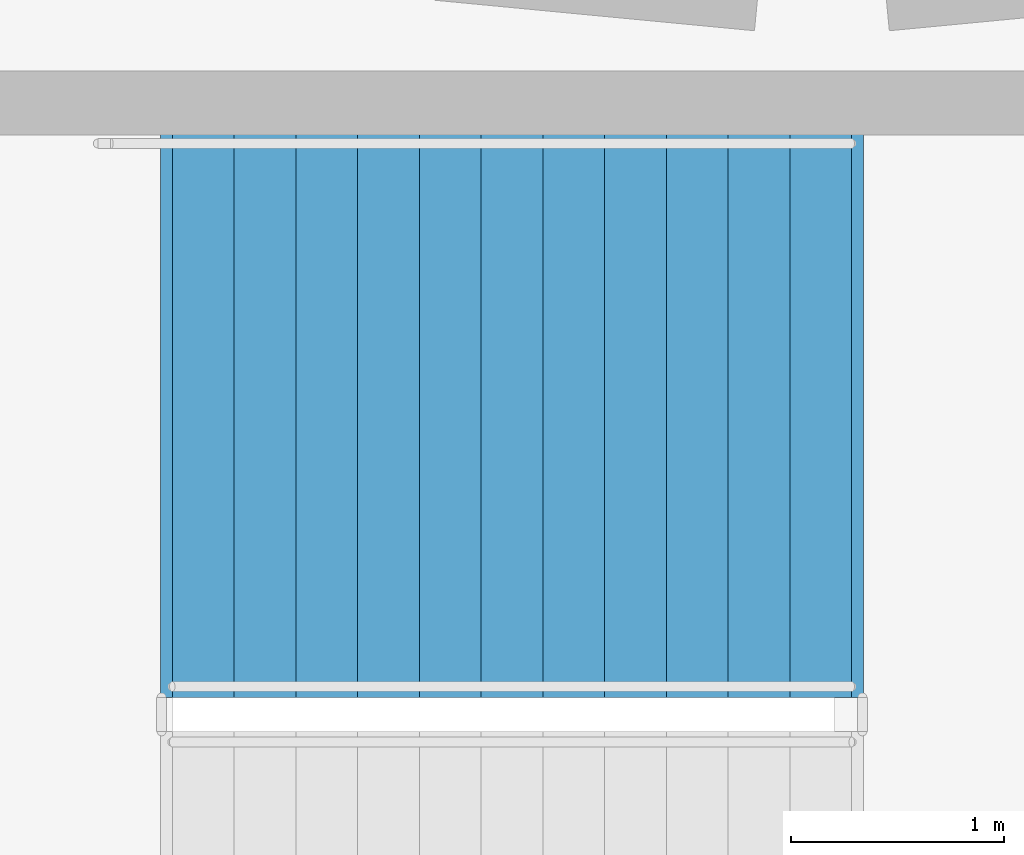
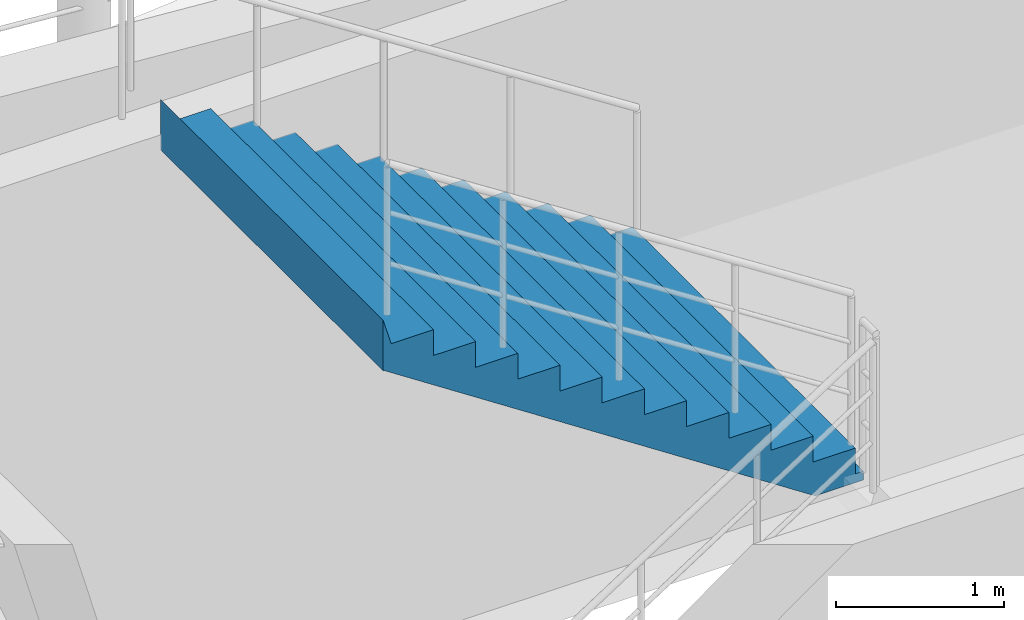
# One storey, part 49 of 60: 1 stair flight, 1 element without a shape of its own.
"""IFC4 building model written with IfcOpenShell, lengths in metres."""

import ifcopenshell
import ifcopenshell.guid

model = None  # the IFC model being written
_history = None  # IfcOwnerHistory: only IFC2X3 demands one
_inside = {}  # id of a spatial element -> (the spatial element, [elements in it])
_under = {}  # id of a project, library or spatial element -> (it, [spatial elements below it])
_declared = {}  # id of a project -> (the project, [libraries it declares])
_typed = {}  # id of a type object -> (the type object, [elements of that type])
_made_of = {}  # id of a material, layer set ... -> (it, [elements and type objects made of it])


def new_model(schema):
    """Start an empty IFC model of exactly this schema.

    Asked for "IFC4X3", IfcOpenShell would pick the latest addendum, in which some entities
    have other attributes; the version numbers below select the first issue.
    IFC2X3 requires an IfcOwnerHistory on every rooted entity: one is made here for all.
    """
    global model, _history
    if schema == "IFC4X3":
        model = ifcopenshell.file(schema_version=(4, 3, 0, 0))
    else:
        model = ifcopenshell.file(schema=schema)
    _inside.clear()
    _under.clear()
    _declared.clear()
    _typed.clear()
    _made_of.clear()
    _history = None
    if model.schema == "IFC2X3":
        org = make("IfcOrganization", Name="unknown")
        user = make(
            "IfcPersonAndOrganization",
            ThePerson=make("IfcPerson", FamilyName="unknown"),
            TheOrganization=org,
        )
        app = make(
            "IfcApplication",
            ApplicationDeveloper=org,
            Version="unknown",
            ApplicationFullName="unknown",
            ApplicationIdentifier="unknown",
        )
        _history = make(
            "IfcOwnerHistory",
            OwningUser=user,
            OwningApplication=app,
            ChangeAction="ADDED",
            CreationDate=0,
        )
    return model


def make(cls, **values):
    """One entity of the class cls with the attributes given. An attribute that is None is left unset."""
    return model.create_entity(
        cls, **{name: value for name, value in values.items() if value is not None}
    )


def rooted(cls, **values):
    """An entity with a GlobalId (a new one), such as an element, a storey or a relation."""
    return make(cls, GlobalId=ifcopenshell.guid.new(), OwnerHistory=_history, **values)


def si_unit(unit_type, name, prefix=None):
    """IfcSIUnit, for example si_unit("LENGTHUNIT", "METRE", prefix="MILLI")."""
    return make("IfcSIUnit", UnitType=unit_type, Prefix=prefix, Name=name)


def assignment(units):
    """IfcUnitAssignment: the units of a project."""
    return None if units is None else make("IfcUnitAssignment", Units=units)


def point(xyz):
    """IfcCartesianPoint."""
    return None if xyz is None else make("IfcCartesianPoint", Coordinates=xyz)


def direction(xyz):
    """IfcDirection."""
    return None if xyz is None else make("IfcDirection", DirectionRatios=xyz)


def frame(location, z_axis=None, x_axis=None):
    """IfcAxis2Placement3D, a coordinate frame: its origin and axes. An axis left out is left unset."""
    return make(
        "IfcAxis2Placement3D",
        Location=point(location),
        Axis=direction(z_axis),
        RefDirection=direction(x_axis),
    )


def origin():
    """The frame at (0, 0, 0) with its axes left unset."""
    return frame((0.0, 0.0, 0.0))


def place(relative_to, where):
    """IfcLocalPlacement: puts the frame where relative to a parent placement (None: the world)."""
    return make(
        "IfcLocalPlacement", PlacementRelTo=relative_to, RelativePlacement=where
    )


def context(
    kind, dimensions, precision=None, world=None, true_north=None, identifier=None
):
    """IfcGeometricRepresentationContext, for example the 3D "Model" context."""
    return make(
        "IfcGeometricRepresentationContext",
        ContextIdentifier=identifier,
        ContextType=kind,
        CoordinateSpaceDimension=dimensions,
        Precision=precision,
        WorldCoordinateSystem=world,
        TrueNorth=true_north,
    )


def subcontext(parent, identifier, kind, view, scale=None):
    """IfcGeometricRepresentationSubContext, for example "Body" below "Model"."""
    return make(
        "IfcGeometricRepresentationSubContext",
        ContextIdentifier=identifier,
        ContextType=kind,
        ParentContext=parent,
        TargetScale=scale,
        TargetView=view,
    )


def project(units=None, contexts=None):
    """IfcProject with its units and contexts."""
    return rooted(
        "IfcProject",
        Name="project",
        RepresentationContexts=contexts,
        UnitsInContext=assignment(units),
    )


def spatial(cls, under=None, at=None, **own):
    """A site, building, storey or space (cls), placed at a placement, below another one or the project."""
    s = rooted(cls, ObjectPlacement=at, **own)
    if under is not None:
        _under.setdefault(under.id(), (under, []))[1].append(s)
    return s


def polyline(points):
    """IfcPolyline through the points."""
    return make("IfcPolyline", Points=[point(p) for p in points])


def outline(outer, holes=None, kind="AREA"):
    """IfcArbitraryClosedProfileDef: a profile drawn as a closed curve; with holes, ...WithVoids."""
    if holes is None:
        return make("IfcArbitraryClosedProfileDef", ProfileType=kind, OuterCurve=outer)
    return make(
        "IfcArbitraryProfileDefWithVoids",
        ProfileType=kind,
        OuterCurve=outer,
        InnerCurves=holes,
    )


def extrude(swept, where, along, depth):
    """IfcExtrudedAreaSolid: the profile swept, set in the frame where, extruded along a direction by depth."""
    return make(
        "IfcExtrudedAreaSolid",
        SweptArea=swept,
        Position=where,
        ExtrudedDirection=direction(along),
        Depth=depth,
    )


def shape(context_of_items, identifier, shape_type, items):
    """IfcShapeRepresentation: the items that make up one representation, for example the "Body"."""
    return make(
        "IfcShapeRepresentation",
        ContextOfItems=context_of_items,
        RepresentationIdentifier=identifier,
        RepresentationType=shape_type,
        Items=items,
    )


def material(Name=None, Category=None):
    """IfcMaterial."""
    return make("IfcMaterial", Name=Name, Category=Category)


def made_of(thing, what):
    """Note that an element or type object is made of a material, layer set ...; save() writes the relation."""
    if what is not None:
        _made_of.setdefault(what.id(), (what, []))[1].append(thing)
    return thing


def type_object(cls, material=None, **own):
    """A type object (cls), such as IfcWallType, which elements share."""
    return made_of(rooted(cls, **own), material)


def element(
    cls,
    number,
    at=None,
    inside=None,
    cuts=None,
    type_object=None,
    material=None,
    context=None,
    identifier="Body",
    shape_type=None,
    held_by="IfcProductDefinitionShape",
    body=None,
    shapes=None,
    **own,
):
    """One element of the class cls, such as IfcWall. Its Tag is "e" and its number.

    at: its placement. inside: the storey or other place that contains it. cuts: it is an
    opening in that element (IfcRelVoidsElement). A single representation is given by context,
    identifier, shape_type and body (its items); several are given by shapes. held_by: the class
    of the entity that holds the representations. save() writes the other relations.
    """
    e = rooted(cls, Tag="e%d" % number, ObjectPlacement=at, **own)
    if body is not None:
        shapes = [shape(context, identifier, shape_type, body)]
    if shapes is not None:
        e.Representation = make(held_by, Representations=shapes)
    if inside is not None:
        _inside.setdefault(inside.id(), (inside, []))[1].append(e)
    if cuts is not None:
        rooted(
            "IfcRelVoidsElement", RelatingBuildingElement=cuts, RelatedOpeningElement=e
        )
    if type_object is not None:
        _typed.setdefault(type_object.id(), (type_object, []))[1].append(e)
    return made_of(e, material)


def aggregate(whole, parts):
    """IfcRelAggregates: a whole, such as a stair, and the parts it consists of."""
    return rooted("IfcRelAggregates", RelatingObject=whole, RelatedObjects=parts)


def save(model, path):
    """Write the relations noted so far, then the file.

    IfcRelAggregates (storeys below a building ...), IfcRelContainedInSpatialStructure (elements
    in a storey), IfcRelDefinesByType, IfcRelAssociatesMaterial and IfcRelDeclares: one each for
    every whole, place, type object, material and project.
    """
    for whole, parts in _under.values():
        aggregate(whole, parts)
    for where, things in _inside.values():
        rooted(
            "IfcRelContainedInSpatialStructure",
            RelatedElements=things,
            RelatingStructure=where,
        )
    for kind, things in _typed.values():
        rooted("IfcRelDefinesByType", RelatedObjects=things, RelatingType=kind)
    for what, things in _made_of.values():
        rooted("IfcRelAssociatesMaterial", RelatedObjects=things, RelatingMaterial=what)
    for by, libraries in _declared.values():
        rooted("IfcRelDeclares", RelatingContext=by, RelatedDefinitions=libraries)
    model.write(path)


model = new_model("IFC4")

# Units and contexts
model_context = context("Model", 3, precision=1e-05, world=origin(), true_north=direction((0.0, 1.0)))
body_context = subcontext(model_context, "Body", "Model", "MODEL_VIEW")
ifc_project = project(units=[si_unit("LENGTHUNIT", "METRE"), si_unit("AREAUNIT", "SQUARE_METRE"), si_unit("VOLUMEUNIT", "CUBIC_METRE"), si_unit("PLANEANGLEUNIT", "RADIAN"), si_unit("MASSUNIT", "GRAM", prefix="KILO")], contexts=[model_context])

# Site, building, storey
site_placement = place(None, origin())
site = spatial("IfcSite", under=ifc_project, at=site_placement, CompositionType="ELEMENT")
building_placement = place(site_placement, origin())
building = spatial("IfcBuilding", under=site, at=building_placement, Name="Cinderbank Siding Concert Hall", CompositionType="ELEMENT")
storey_placement = place(building_placement, frame((0.0, 0.0, 14.699951171875)))
storey = spatial("IfcBuildingStorey", under=building, at=storey_placement, Name="L04", CompositionType="ELEMENT", Elevation=14.699951171875)

# Stair, stair flight
ifc_material = material(Name="Reinforced concrete AS 3600 N50 (50 MPa)", Category="concrete")
stair_type = type_object("IfcStairType", Name="STR-A Dogleg Exit Stair 2650mm", PredefinedType="HALF_TURN_STAIR", material=ifc_material)
stair_placement = place(storey_placement, origin())
stair = element("IfcStair", 1, at=stair_placement, inside=storey, type_object=stair_type, Name="L04 Fire-isolated Exit Stair ST-02", PredefinedType="HALF_TURN_STAIR")
stair_flight_type = type_object("IfcStairFlightType", Name="SFL-A Concrete Stair Flight 2650mm", PredefinedType="STRAIGHT", material=ifc_material)
stair_flight_placement = place(storey_placement, frame((122.139892578125, 27.8349609375, 2.25), z_axis=(0.0, 0.0, 1.0), x_axis=(-1.0, 0.0, 0.0)))
stair_flight = element("IfcStairFlight", 2, at=stair_flight_placement, type_object=stair_flight_type, Name="ST-02 flight 2", NumberOfRisers=12, NumberOfTreads=11, PredefinedType="STRAIGHT", RiserHeight=0.1875, TreadLength=0.29, context=body_context, shape_type="SweptSolid", body=[
    extrude(outline(polyline([(0.0, 0.0), (0.0, 0.1875), (0.2900390625, 0.1875), (0.2900390625, 0.375), (0.580078125, 0.375), (0.580078125, 0.5625), (0.8701171875, 0.5625), (0.8701171875, 0.75), (1.159912109375, 0.75), (1.159912109375, 0.9375), (1.449951171875, 0.9375), (1.449951171875, 1.125), (1.739990234375, 1.125), (1.739990234375, 1.3125), (2.030029296875, 1.3125), (2.030029296875, 1.5), (2.320068359375, 1.5), (2.320068359375, 1.6875), (2.610107421875, 1.6875), (2.610107421875, 1.875), (2.89990234375, 1.875), (2.89990234375, 2.0625), (3.18994140625, 2.0625), (3.244873046875, 2.25), (3.244873046875, 1.884033203125), (3.24462890625, 1.88427734375), (3.24462890625, 1.884521484375), (3.24462890625, 1.884765625), (3.24462890625, 1.885009765625), (3.24462890625, 1.88525390625), (3.24462890625, 1.885498046875), (3.24462890625, 1.8857421875), (3.24462890625, 1.885986328125), (3.24462890625, 1.88623046875), (3.24462890625, 1.886474609375), (3.24462890625, 1.88671875), (3.24462890625, 1.886962890625), (3.244384765625, 1.886962890625), (3.244384765625, 1.88671875), (3.244384765625, 1.886474609375), (3.244384765625, 1.88623046875), (3.244384765625, 1.885986328125), (3.244384765625, 1.8857421875), (3.244384765625, 1.885498046875), (3.244384765625, 1.88525390625), (3.244384765625, 1.885009765625), (3.244384765625, 1.884765625), (3.244384765625, 1.884521484375), (3.244384765625, 1.88427734375), (3.244384765625, 1.884033203125), (3.244140625, 1.88427734375), (3.244140625, 1.884521484375), (3.244140625, 1.884765625), (3.244140625, 1.885009765625), (3.244140625, 1.88525390625), (3.244140625, 1.885498046875), (3.244140625, 1.8857421875), (3.244140625, 1.885986328125), (3.244140625, 1.88623046875), (3.244140625, 1.886474609375), (3.244140625, 1.88671875), (3.244140625, 1.886962890625), (3.243896484375, 1.886962890625), (3.243896484375, 1.88671875), (3.243896484375, 1.886474609375), (3.243896484375, 1.88623046875), (3.243896484375, 1.885986328125), (3.243896484375, 1.8857421875), (3.243896484375, 1.885498046875), (3.243896484375, 1.88525390625), (3.243896484375, 1.885009765625), (3.243896484375, 1.884765625), (3.243896484375, 1.884521484375), (3.243896484375, 1.88427734375), (3.243896484375, 1.884033203125), (3.24365234375, 1.88427734375), (3.24365234375, 1.884521484375), (3.24365234375, 1.884765625), (3.24365234375, 1.885009765625), (3.24365234375, 1.88525390625), (3.24365234375, 1.885498046875), (3.24365234375, 1.8857421875), (3.24365234375, 1.885986328125), (3.24365234375, 1.88623046875), (3.24365234375, 1.886474609375), (3.24365234375, 1.88671875), (3.24365234375, 1.886962890625), (3.243408203125, 1.886962890625), (3.243408203125, 1.88671875), (3.243408203125, 1.886474609375), (3.243408203125, 1.88623046875), (3.243408203125, 1.885986328125), (3.243408203125, 1.8857421875), (3.243408203125, 1.885498046875), (3.243408203125, 1.88525390625), (3.243408203125, 1.885009765625), (3.243408203125, 1.884765625), (3.243408203125, 1.884521484375), (3.243408203125, 1.88427734375), (3.243408203125, 1.884033203125), (3.2431640625, 1.88427734375), (3.2431640625, 1.884521484375), (3.2431640625, 1.884765625), (3.2431640625, 1.885009765625), (3.2431640625, 1.88525390625), (3.2431640625, 1.885498046875), (3.2431640625, 1.8857421875), (3.2431640625, 1.885986328125), (3.2431640625, 1.88623046875), (3.2431640625, 1.886474609375), (3.2431640625, 1.88671875), (3.2431640625, 1.886962890625), (3.242919921875, 1.886962890625), (3.242919921875, 1.88671875), (3.242919921875, 1.886474609375), (3.242919921875, 1.88623046875), (3.242919921875, 1.885986328125), (3.242919921875, 1.8857421875), (3.242919921875, 1.885498046875), (3.242919921875, 1.88525390625), (3.242919921875, 1.885009765625), (3.242919921875, 1.884765625), (3.242919921875, 1.884521484375), (3.242919921875, 1.88427734375), (3.242919921875, 1.884033203125), (3.24267578125, 1.88427734375), (3.24267578125, 1.884521484375), (3.24267578125, 1.884765625), (3.24267578125, 1.885009765625), (3.24267578125, 1.88525390625), (3.24267578125, 1.885498046875), (3.24267578125, 1.8857421875), (3.24267578125, 1.885986328125), (3.24267578125, 1.88623046875), (3.24267578125, 1.886474609375), (3.24267578125, 1.88671875), (3.24267578125, 1.886962890625), (3.242431640625, 1.886962890625), (3.242431640625, 1.88671875), (3.242431640625, 1.886474609375), (3.242431640625, 1.88623046875), (3.242431640625, 1.885986328125), (3.242431640625, 1.8857421875), (3.242431640625, 1.885498046875), (3.242431640625, 1.88525390625), (3.242431640625, 1.885009765625), (3.242431640625, 1.884765625), (3.242431640625, 1.884521484375), (3.242431640625, 1.88427734375), (3.242431640625, 1.884033203125), (3.2421875, 1.88427734375), (3.2421875, 1.884521484375), (3.2421875, 1.884765625), (3.2421875, 1.885009765625), (3.2421875, 1.88525390625), (3.2421875, 1.885498046875), (3.2421875, 1.8857421875), (3.2421875, 1.885986328125), (3.2421875, 1.88623046875), (3.2421875, 1.886474609375), (3.2421875, 1.88671875), (3.2421875, 1.886962890625), (3.241943359375, 1.886962890625), (3.241943359375, 1.88671875), (3.241943359375, 1.886474609375), (3.241943359375, 1.88623046875), (3.241943359375, 1.885986328125), (3.241943359375, 1.8857421875), (3.241943359375, 1.885498046875), (3.241943359375, 1.88525390625), (3.241943359375, 1.885009765625), (3.241943359375, 1.884765625), (3.241943359375, 1.884521484375), (3.241943359375, 1.88427734375), (3.241943359375, 1.884033203125), (3.24169921875, 1.88427734375), (3.24169921875, 1.884521484375), (3.24169921875, 1.884765625), (3.24169921875, 1.885009765625), (3.24169921875, 1.88525390625), (3.24169921875, 1.885498046875), (3.24169921875, 1.8857421875), (3.24169921875, 1.885986328125), (3.24169921875, 1.88623046875), (3.24169921875, 1.886474609375), (3.24169921875, 1.88671875), (3.24169921875, 1.886962890625), (3.241455078125, 1.886962890625), (3.241455078125, 1.88671875), (3.241455078125, 1.886474609375), (3.241455078125, 1.88623046875), (3.241455078125, 1.885986328125), (3.241455078125, 1.8857421875), (3.241455078125, 1.885498046875), (3.241455078125, 1.88525390625), (3.241455078125, 1.885009765625), (3.241455078125, 1.884765625), (3.241455078125, 1.884521484375), (3.241455078125, 1.88427734375), (3.241455078125, 1.884033203125), (3.2412109375, 1.88427734375), (3.2412109375, 1.884521484375), (3.2412109375, 1.884765625), (3.2412109375, 1.885009765625), (3.2412109375, 1.88525390625), (3.2412109375, 1.885498046875), (3.2412109375, 1.8857421875), (3.2412109375, 1.885986328125), (3.2412109375, 1.88623046875), (3.2412109375, 1.886474609375), (3.2412109375, 1.88671875), (3.2412109375, 1.886962890625), (3.240966796875, 1.886962890625), (3.240966796875, 1.88671875), (3.240966796875, 1.886474609375), (3.240966796875, 1.88623046875), (3.240966796875, 1.885986328125), (3.240966796875, 1.8857421875), (3.240966796875, 1.885498046875), (3.240966796875, 1.88525390625), (3.240966796875, 1.885009765625), (3.240966796875, 1.884765625), (3.240966796875, 1.884521484375), (3.240966796875, 1.88427734375), (3.240966796875, 1.884033203125), (3.24072265625, 1.88427734375), (3.24072265625, 1.884521484375), (3.24072265625, 1.884765625), (3.24072265625, 1.885009765625), (3.24072265625, 1.88525390625), (3.24072265625, 1.885498046875), (3.24072265625, 1.8857421875), (3.24072265625, 1.885986328125), (3.24072265625, 1.88623046875), (3.24072265625, 1.886474609375), (3.24072265625, 1.88671875), (3.24072265625, 1.886962890625), (3.240478515625, 1.886962890625), (3.240478515625, 1.88671875), (3.240478515625, 1.886474609375), (3.240478515625, 1.88623046875), (3.240478515625, 1.885986328125), (3.240478515625, 1.8857421875), (3.240478515625, 1.885498046875), (3.240478515625, 1.88525390625), (3.240478515625, 1.885009765625), (3.240478515625, 1.884765625), (3.240478515625, 1.884521484375), (3.240478515625, 1.88427734375), (3.240478515625, 1.884033203125), (3.240234375, 1.88427734375), (3.240234375, 1.884521484375), (3.240234375, 1.884765625), (3.240234375, 1.885009765625), (3.240234375, 1.88525390625), (3.240234375, 1.885498046875), (3.240234375, 1.8857421875), (3.240234375, 1.885986328125), (3.240234375, 1.88623046875), (3.240234375, 1.886474609375), (3.240234375, 1.88671875), (3.240234375, 1.886962890625), (3.239990234375, 1.886962890625), (3.239990234375, 1.88671875), (3.239990234375, 1.886474609375), (3.239990234375, 1.88623046875), (3.239990234375, 1.885986328125), (3.239990234375, 1.8857421875), (3.239990234375, 1.885498046875), (3.239990234375, 1.88525390625), (3.239990234375, 1.885009765625), (3.239990234375, 1.884765625), (3.239990234375, 1.884521484375), (3.239990234375, 1.88427734375), (3.239990234375, 1.884033203125), (3.23974609375, 1.88427734375), (3.23974609375, 1.884521484375), (3.23974609375, 1.884765625), (3.23974609375, 1.885009765625), (3.23974609375, 1.88525390625), (3.23974609375, 1.885498046875), (3.23974609375, 1.8857421875), (3.23974609375, 1.885986328125), (3.23974609375, 1.88623046875), (3.23974609375, 1.886474609375), (3.23974609375, 1.88671875), (3.23974609375, 1.886962890625), (3.239501953125, 1.886962890625), (3.239501953125, 1.88671875), (3.239501953125, 1.886474609375), (3.239501953125, 1.88623046875), (3.239501953125, 1.885986328125), (3.239501953125, 1.8857421875), (3.239501953125, 1.885498046875), (3.239501953125, 1.88525390625), (3.239501953125, 1.885009765625), (3.239501953125, 1.884765625), (3.239501953125, 1.884521484375), (3.239501953125, 1.88427734375), (3.239501953125, 1.884033203125), (3.2392578125, 1.88427734375), (3.2392578125, 1.884521484375), (3.2392578125, 1.884765625), (3.2392578125, 1.885009765625), (3.2392578125, 1.88525390625), (3.2392578125, 1.885498046875), (3.2392578125, 1.8857421875), (3.2392578125, 1.885986328125), (3.2392578125, 1.88623046875), (3.2392578125, 1.886474609375), (3.2392578125, 1.88671875), (3.2392578125, 1.886962890625), (3.239013671875, 1.886962890625), (3.239013671875, 1.88671875), (3.239013671875, 1.886474609375), (3.239013671875, 1.88623046875), (3.239013671875, 1.885986328125), (3.239013671875, 1.8857421875), (3.239013671875, 1.885498046875), (3.239013671875, 1.88525390625), (3.239013671875, 1.885009765625), (3.239013671875, 1.884765625), (3.239013671875, 1.884521484375), (3.239013671875, 1.88427734375), (3.239013671875, 1.884033203125), (3.23876953125, 1.88427734375), (3.23876953125, 1.884521484375), (3.23876953125, 1.884765625), (3.23876953125, 1.885009765625), (3.23876953125, 1.88525390625), (3.23876953125, 1.885498046875), (3.23876953125, 1.8857421875), (3.23876953125, 1.885986328125), (3.23876953125, 1.88623046875), (3.23876953125, 1.886474609375), (3.23876953125, 1.88671875), (3.23876953125, 1.886962890625), (3.238525390625, 1.886962890625), (3.238525390625, 1.88671875), (3.238525390625, 1.886474609375), (3.238525390625, 1.88623046875), (3.238525390625, 1.885986328125), (3.238525390625, 1.8857421875), (3.238525390625, 1.885498046875), (3.238525390625, 1.88525390625), (3.238525390625, 1.885009765625), (3.238525390625, 1.884765625), (3.238525390625, 1.884521484375), (3.238525390625, 1.88427734375), (3.238525390625, 1.884033203125), (0.276123046875, -0.06396484375), (-0.048583984375, -0.063720703125), (-0.048583984375, -0.0634765625), (-0.048583984375, -0.063232421875), (-0.048583984375, -0.06298828125), (-0.048583984375, -0.062744140625), (-0.048583984375, -0.0625), (-0.048583984375, -0.062255859375), (-0.048583984375, -0.06201171875), (-0.048583984375, -0.061767578125), (-0.048583984375, -0.0615234375), (-0.048583984375, -0.061279296875), (-0.048583984375, -0.06103515625), (-0.048828125, -0.06103515625), (-0.048828125, -0.061279296875), (-0.048828125, -0.0615234375), (-0.048828125, -0.061767578125), (-0.048828125, -0.06201171875), (-0.048828125, -0.062255859375), (-0.048828125, -0.0625), (-0.048828125, -0.062744140625), (-0.048828125, -0.06298828125), (-0.048828125, -0.063232421875), (-0.048828125, -0.0634765625), (-0.048828125, -0.063720703125), (-0.048828125, -0.06396484375), (-0.049072265625, -0.063720703125), (-0.049072265625, -0.0634765625), (-0.049072265625, -0.063232421875), (-0.049072265625, -0.06298828125), (-0.049072265625, -0.062744140625), (-0.049072265625, -0.0625), (-0.049072265625, -0.062255859375), (-0.049072265625, -0.06201171875), (-0.049072265625, -0.061767578125), (-0.049072265625, -0.0615234375), (-0.049072265625, -0.061279296875), (-0.049072265625, -0.06103515625), (-0.04931640625, -0.06103515625), (-0.04931640625, -0.061279296875), (-0.04931640625, -0.0615234375), (-0.04931640625, -0.061767578125), (-0.04931640625, -0.06201171875), (-0.04931640625, -0.062255859375), (-0.04931640625, -0.0625), (-0.04931640625, -0.062744140625), (-0.04931640625, -0.06298828125), (-0.04931640625, -0.063232421875), (-0.04931640625, -0.0634765625), (-0.04931640625, -0.063720703125), (-0.04931640625, -0.06396484375), (-0.049560546875, -0.063720703125), (-0.049560546875, -0.0634765625), (-0.049560546875, -0.063232421875), (-0.049560546875, -0.06298828125), (-0.049560546875, -0.062744140625), (-0.049560546875, -0.0625), (-0.049560546875, -0.062255859375), (-0.049560546875, -0.06201171875), (-0.049560546875, -0.061767578125), (-0.049560546875, -0.0615234375), (-0.049560546875, -0.061279296875), (-0.049560546875, -0.06103515625), (-0.0498046875, -0.06103515625), (-0.0498046875, -0.061279296875), (-0.0498046875, -0.0615234375), (-0.0498046875, -0.061767578125), (-0.0498046875, -0.06201171875), (-0.0498046875, -0.062255859375), (-0.0498046875, -0.0625), (-0.0498046875, -0.062744140625), (-0.0498046875, -0.06298828125), (-0.0498046875, -0.063232421875), (-0.0498046875, -0.0634765625), (-0.0498046875, -0.063720703125), (-0.0498046875, -0.06396484375), (-0.050048828125, -0.063720703125), (-0.050048828125, -0.0634765625), (-0.050048828125, -0.063232421875), (-0.050048828125, -0.06298828125), (-0.050048828125, -0.062744140625), (-0.050048828125, -0.0625), (-0.050048828125, -0.062255859375), (-0.050048828125, -0.06201171875), (-0.050048828125, -0.061767578125), (-0.050048828125, -0.0615234375), (-0.050048828125, -0.061279296875), (-0.050048828125, -0.06103515625), (-0.05029296875, -0.06103515625), (-0.05029296875, -0.061279296875), (-0.05029296875, -0.0615234375), (-0.05029296875, -0.061767578125), (-0.05029296875, -0.06201171875), (-0.05029296875, -0.062255859375), (-0.05029296875, -0.0625), (-0.05029296875, -0.062744140625), (-0.05029296875, -0.06298828125), (-0.05029296875, -0.063232421875), (-0.05029296875, -0.0634765625), (-0.05029296875, -0.063720703125), (-0.05029296875, -0.06396484375), (-0.050537109375, -0.063720703125), (-0.050537109375, -0.0634765625), (-0.050537109375, -0.063232421875), (-0.050537109375, -0.06298828125), (-0.050537109375, -0.062744140625), (-0.050537109375, -0.0625), (-0.050537109375, -0.062255859375), (-0.050537109375, -0.06201171875), (-0.050537109375, -0.061767578125), (-0.050537109375, -0.0615234375), (-0.050537109375, -0.061279296875), (-0.050537109375, -0.06103515625), (-0.05078125, -0.06103515625), (-0.05078125, -0.061279296875), (-0.05078125, -0.0615234375), (-0.05078125, -0.061767578125), (-0.05078125, -0.06201171875), (-0.05078125, -0.062255859375), (-0.05078125, -0.0625), (-0.05078125, -0.062744140625), (-0.05078125, -0.06298828125), (-0.05078125, -0.063232421875), (-0.05078125, -0.0634765625), (-0.05078125, -0.063720703125), (-0.05078125, -0.06396484375), (-0.051025390625, -0.063720703125), (-0.051025390625, -0.0634765625), (-0.051025390625, -0.063232421875), (-0.051025390625, -0.06298828125), (-0.051025390625, -0.062744140625), (-0.051025390625, -0.0625), (-0.051025390625, -0.062255859375), (-0.051025390625, -0.06201171875), (-0.051025390625, -0.061767578125), (-0.051025390625, -0.0615234375), (-0.051025390625, -0.061279296875), (-0.051025390625, -0.06103515625), (-0.05126953125, -0.06103515625), (-0.05126953125, -0.061279296875), (-0.05126953125, -0.0615234375), (-0.05126953125, -0.061767578125), (-0.05126953125, -0.06201171875), (-0.05126953125, -0.062255859375), (-0.05126953125, -0.0625), (-0.05126953125, -0.062744140625), (-0.05126953125, -0.06298828125), (-0.05126953125, -0.063232421875), (-0.05126953125, -0.0634765625), (-0.05126953125, -0.063720703125), (-0.05126953125, -0.06396484375), (-0.051513671875, -0.063720703125), (-0.051513671875, -0.0634765625), (-0.051513671875, -0.063232421875), (-0.051513671875, -0.06298828125), (-0.051513671875, -0.062744140625), (-0.051513671875, -0.0625), (-0.051513671875, -0.062255859375), (-0.051513671875, -0.06201171875), (-0.051513671875, -0.061767578125), (-0.051513671875, -0.0615234375), (-0.051513671875, -0.061279296875), (-0.051513671875, -0.06103515625), (-0.0517578125, -0.06103515625), (-0.0517578125, -0.061279296875), (-0.0517578125, -0.0615234375), (-0.0517578125, -0.061767578125), (-0.0517578125, -0.06201171875), (-0.0517578125, -0.062255859375), (-0.0517578125, -0.0625), (-0.0517578125, -0.062744140625), (-0.0517578125, -0.06298828125), (-0.0517578125, -0.063232421875), (-0.0517578125, -0.0634765625), (-0.0517578125, -0.063720703125), (-0.0517578125, -0.06396484375), (-0.052001953125, -0.063720703125), (-0.052001953125, -0.0634765625), (-0.052001953125, -0.063232421875), (-0.052001953125, -0.06298828125), (-0.052001953125, -0.062744140625), (-0.052001953125, -0.0625), (-0.052001953125, -0.062255859375), (-0.052001953125, -0.06201171875), (-0.052001953125, -0.061767578125), (-0.052001953125, -0.0615234375), (-0.052001953125, -0.061279296875), (-0.052001953125, -0.06103515625), (-0.05224609375, -0.06103515625), (-0.05224609375, -0.061279296875), (-0.05224609375, -0.0615234375), (-0.05224609375, -0.061767578125), (-0.05224609375, -0.06201171875), (-0.05224609375, -0.062255859375), (-0.05224609375, -0.0625), (-0.05224609375, -0.062744140625), (-0.05224609375, -0.06298828125), (-0.05224609375, -0.063232421875), (-0.05224609375, -0.0634765625), (-0.05224609375, -0.063720703125), (-0.05224609375, -0.06396484375), (-0.052490234375, -0.063720703125), (-0.052490234375, -0.0634765625), (-0.052490234375, -0.063232421875), (-0.052490234375, -0.06298828125), (-0.052490234375, -0.062744140625), (-0.052490234375, -0.0625), (-0.052490234375, -0.062255859375), (-0.052490234375, -0.06201171875), (-0.052490234375, -0.061767578125), (-0.052490234375, -0.0615234375), (-0.052490234375, -0.061279296875), (-0.052490234375, -0.06103515625), (-0.052734375, -0.06103515625), (-0.052734375, -0.061279296875), (-0.052734375, -0.0615234375), (-0.052734375, -0.061767578125), (-0.052734375, -0.06201171875), (-0.052734375, -0.062255859375), (-0.052734375, -0.0625), (-0.052734375, -0.062744140625), (-0.052734375, -0.06298828125), (-0.052734375, -0.063232421875), (-0.052734375, -0.0634765625), (-0.052734375, -0.063720703125), (-0.052734375, -0.06396484375), (-0.052978515625, -0.063720703125), (-0.052978515625, -0.0634765625), (-0.052978515625, -0.063232421875), (-0.052978515625, -0.06298828125), (-0.052978515625, -0.062744140625), (-0.052978515625, -0.0625), (-0.052978515625, -0.062255859375), (-0.052978515625, -0.06201171875), (-0.052978515625, -0.061767578125), (-0.052978515625, -0.0615234375), (-0.052978515625, -0.061279296875), (-0.052978515625, -0.06103515625), (-0.05322265625, -0.06103515625), (-0.05322265625, -0.061279296875), (-0.05322265625, -0.0615234375), (-0.05322265625, -0.061767578125), (-0.05322265625, -0.06201171875), (-0.05322265625, -0.062255859375), (-0.05322265625, -0.0625), (-0.05322265625, -0.062744140625), (-0.05322265625, -0.06298828125), (-0.05322265625, -0.063232421875), (-0.05322265625, -0.0634765625), (-0.05322265625, -0.063720703125), (-0.05322265625, -0.06396484375), (-0.053466796875, -0.063720703125), (-0.053466796875, -0.0634765625), (-0.053466796875, -0.063232421875), (-0.053466796875, -0.06298828125), (-0.053466796875, -0.062744140625), (-0.053466796875, -0.0625), (-0.053466796875, -0.062255859375), (-0.053466796875, -0.06201171875), (-0.053466796875, -0.061767578125), (-0.053466796875, -0.0615234375), (-0.053466796875, -0.061279296875), (-0.053466796875, -0.06103515625), (-0.0537109375, -0.06103515625), (-0.0537109375, -0.061279296875), (-0.0537109375, -0.0615234375), (-0.0537109375, -0.061767578125), (-0.0537109375, -0.06201171875), (-0.0537109375, -0.062255859375), (-0.0537109375, -0.0625), (-0.0537109375, -0.062744140625), (-0.0537109375, -0.06298828125), (-0.0537109375, -0.063232421875), (-0.0537109375, -0.0634765625), (-0.0537109375, -0.063720703125), (-0.0537109375, -0.06396484375), (-0.053955078125, -0.063720703125), (-0.053955078125, -0.0634765625), (-0.053955078125, -0.063232421875), (-0.053955078125, -0.06298828125), (-0.053955078125, -0.062744140625), (-0.053955078125, -0.0625), (-0.053955078125, -0.062255859375), (-0.053955078125, -0.06201171875), (-0.053955078125, -0.061767578125), (-0.053955078125, -0.0615234375), (-0.053955078125, -0.061279296875), (-0.053955078125, -0.06103515625), (-0.05419921875, -0.06103515625), (-0.05419921875, -0.061279296875), (-0.05419921875, -0.0615234375), (-0.05419921875, -0.061767578125), (-0.05419921875, -0.06201171875), (-0.05419921875, -0.062255859375), (-0.05419921875, -0.0625), (-0.05419921875, -0.062744140625), (-0.05419921875, -0.06298828125), (-0.05419921875, -0.063232421875), (-0.05419921875, -0.0634765625), (-0.05419921875, -0.063720703125), (-0.05419921875, -0.06396484375), (-0.054443359375, -0.063720703125), (-0.054443359375, -0.0634765625), (-0.054443359375, -0.063232421875), (-0.054443359375, -0.06298828125), (-0.054443359375, -0.062744140625), (-0.054443359375, -0.0625), (-0.054443359375, -0.062255859375), (-0.054443359375, -0.06201171875), (-0.054443359375, -0.061767578125), (-0.054443359375, -0.0615234375), (-0.054443359375, -0.061279296875), (-0.054443359375, -0.06103515625), (-0.0546875, -0.06103515625), (-0.0546875, -0.061279296875), (-0.0546875, -0.0615234375), (-0.0546875, -0.061767578125), (-0.0546875, -0.06201171875), (-0.0546875, -0.062255859375), (-0.0546875, -0.0625), (-0.0546875, -0.062744140625), (-0.0546875, -0.06298828125), (-0.0546875, -0.063232421875), (-0.0546875, -0.0634765625), (-0.0546875, -0.063720703125), (-0.0546875, -0.06396484375), (-0.054931640625, -0.06396484375), (-0.054931640625, 0.0), (0.0, 0.0)])), frame((0.0, 1.324951171875, 0.0), z_axis=(0.0, -1.0, 0.0), x_axis=(1.0, 0.0, 0.0)), (0.0, 0.0, 1.0), 2.64990234375),
])
aggregate(stair, [stair_flight])

save(model, "model.ifc")
